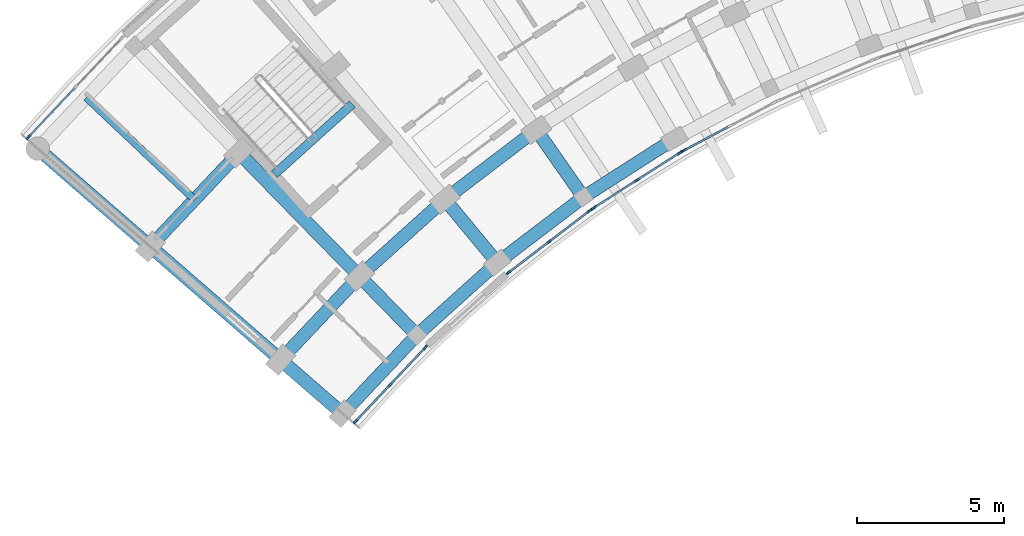
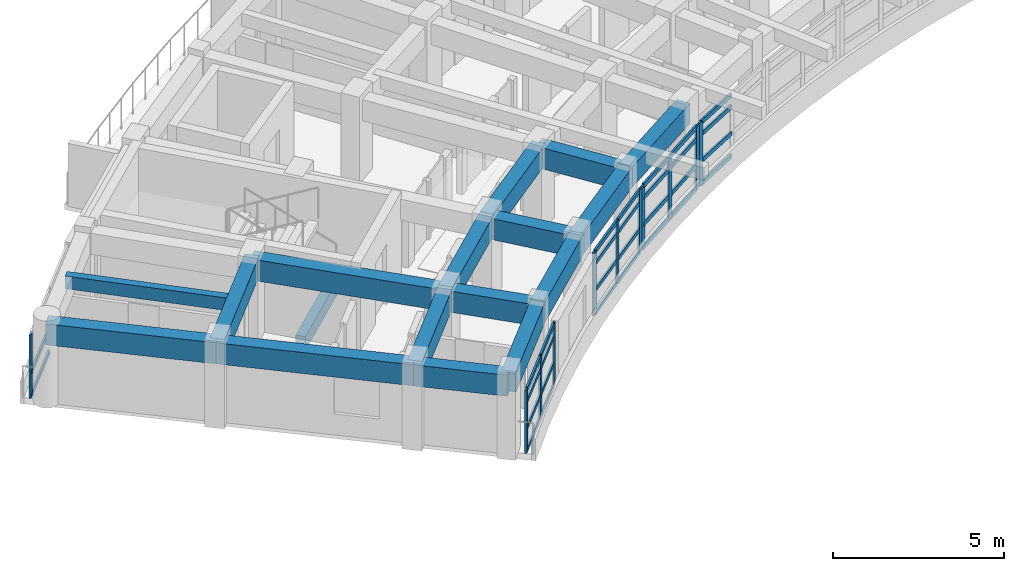
# One storey, part 14 of 70: 41 members, 17 beams, 5 elements without a shape of their own.
"""IFC4 building model written with IfcOpenShell, lengths in metres."""

from ifc_helpers import new_model, si_unit, direction, frame, origin, origin_2d, place, context, subcontext, project, spatial, rectangle, extrude, material, material_profile, profile_set, type_object, element, aggregate, save


model = new_model("IFC4")

# Units and contexts
model_context = context("Model", 3, precision=1e-05, world=origin(), true_north=direction((0.0, 1.0)))
body_context = subcontext(model_context, "Body", "Model", "MODEL_VIEW")
ifc_project = project(units=[si_unit("LENGTHUNIT", "METRE"), si_unit("AREAUNIT", "SQUARE_METRE"), si_unit("VOLUMEUNIT", "CUBIC_METRE"), si_unit("PLANEANGLEUNIT", "RADIAN"), si_unit("MASSUNIT", "GRAM", prefix="KILO")], contexts=[model_context])

# Site, building, storey
site_placement = place(None, origin())
site = spatial("IfcSite", under=ifc_project, at=site_placement, CompositionType="ELEMENT")
building_placement = place(site_placement, origin())
building = spatial("IfcBuilding", under=site, at=building_placement, Name="Zimvara Arc Housing Community", CompositionType="ELEMENT")
storey_placement = place(building_placement, frame((0.0, 0.0, 8.10009765625)))
storey = spatial("IfcBuildingStorey", under=building, at=storey_placement, Name="L02", CompositionType="ELEMENT", Elevation=8.10009765625)

# Beams
ifc_material_1 = material(Name="Concrete C40/50", Category="concrete")
ifc_material_profile_1 = material_profile(ifc_material_1, rectangle(XDim=0.25, YDim=0.449951171875, at=origin_2d()), Name="RC 250x450")
ifc_profile_set_1 = profile_set([ifc_material_profile_1], Name="Concrete C40/50")
beam_type_1 = type_object("IfcBeamType", Name="BM-RC-250x450", PredefinedType="JOIST", material=ifc_profile_set_1)
beam_1_placement = place(storey_placement, frame((5.904296875, 81.3935546875, 2.65478515625), z_axis=(-0.727299876429, 0.686319815936, 0.0), x_axis=(-0.686319815936, -0.727299876429, 0.0)))
element("IfcBeam", 1, at=beam_1_placement, inside=storey, type_object=beam_type_1, Name="bm:blkA:L02:joist:b0", PredefinedType="JOIST", context=body_context, shape_type="SweptSolid", body=[
    extrude(rectangle(XDim=0.25, YDim=0.449951171875, at=origin_2d()), origin(), (0.0, 0.0, 1.0), 5.075927734375),
])
ifc_material_2 = material(Name="Concrete C40/50", Category="concrete")
ifc_material_profile_2 = material_profile(ifc_material_2, rectangle(XDim=0.300048828125, YDim=0.5, at=origin_2d()), Name="RC 300x500")
ifc_profile_set_2 = profile_set([ifc_material_profile_2], Name="Concrete C40/50")
beam_type_2 = type_object("IfcBeamType", Name="BM-RC-300x500", PredefinedType="BEAM", material=ifc_profile_set_2)
beam_2_placement = place(storey_placement, frame((11.278076171875, 84.64697265625, -0.25), z_axis=(-0.743362151162, -0.668889162881, 0.0), x_axis=(0.668889162881, -0.743362151162, 0.0)))
element("IfcBeam", 2, at=beam_2_placement, inside=storey, type_object=beam_type_2, Name="bm:stair_trim:ST-A1:L02:near", PredefinedType="BEAM", context=body_context, shape_type="SweptSolid", body=[
    extrude(rectangle(XDim=0.300048828125, YDim=0.5, at=origin_2d()), origin(), (0.0, 0.0, 1.0), 3.570068359375),
])
ifc_material_3 = material(Name="Concrete C40/50", Category="concrete")
ifc_material_profile_3 = material_profile(ifc_material_3, rectangle(XDim=0.43994140625, YDim=0.719970703125, at=origin_2d()), Name="RC 440x720")
ifc_profile_set_3 = profile_set([ifc_material_profile_3], Name="Concrete C40/50")
beam_type_3 = type_object("IfcBeamType", Name="BM-RC-440x720", PredefinedType="BEAM", material=ifc_profile_set_3)
beam_3_placement = place(storey_placement, frame((10.947509765625, 74.101318359375, 2.52001953125), z_axis=(0.686335517678, 0.727285059088, 0.0), x_axis=(-0.727285059088, 0.686335517678, 0.0)))
element("IfcBeam", 3, at=beam_3_placement, inside=storey, type_object=beam_type_3, Name="bm:blkA:L02:chord:r0:b0", PredefinedType="BEAM", context=body_context, shape_type="SweptSolid", body=[
    extrude(rectangle(XDim=0.43994140625, YDim=0.719970703125, at=origin_2d()), origin(), (0.0, 0.0, 1.0), 3.6845703125),
])
beam_4_placement = place(storey_placement, frame((13.476318359375, 76.781005859375, 2.52001953125), z_axis=(0.743366631239, 0.668884183966, 0.0), x_axis=(-0.668884183966, 0.743366631239, 0.0)))
element("IfcBeam", 4, at=beam_4_placement, inside=storey, type_object=beam_type_3, Name="bm:blkA:L02:chord:r0:b1", PredefinedType="BEAM", context=body_context, shape_type="SweptSolid", body=[
    extrude(rectangle(XDim=0.43994140625, YDim=0.719970703125, at=origin_2d()), origin(), (0.0, 0.0, 1.0), 3.684326171875),
])
beam_5_placement = place(storey_placement, frame((16.215087890625, 79.245361328125, 2.52001953125), z_axis=(0.795453014049, 0.606015265847, 0.0), x_axis=(-0.606015265847, 0.795453014049, 0.0)))
element("IfcBeam", 5, at=beam_5_placement, inside=storey, type_object=beam_type_3, Name="bm:blkA:L02:chord:r0:b2", PredefinedType="BEAM", context=body_context, shape_type="SweptSolid", body=[
    extrude(rectangle(XDim=0.43994140625, YDim=0.719970703125, at=origin_2d()), origin(), (0.0, 0.0, 1.0), 3.6845703125),
])
beam_6_placement = place(storey_placement, frame((19.14599609375, 81.478271484375, 2.52001953125), z_axis=(0.842272604079, 0.539051816079, 0.0), x_axis=(-0.539051816079, 0.842272604079, 0.0)))
element("IfcBeam", 6, at=beam_6_placement, inside=storey, type_object=beam_type_3, Name="bm:blkA:L02:chord:r0:b3", PredefinedType="BEAM", context=body_context, shape_type="SweptSolid", body=[
    extrude(rectangle(XDim=0.43994140625, YDim=0.719970703125, at=origin_2d()), origin(), (0.0, 0.0, 1.0), 3.684326171875),
])
beam_7_placement = place(storey_placement, frame((8.834228515625, 75.938232421875, 2.52001953125), z_axis=(0.686315710793, 0.727303750243, 0.0), x_axis=(-0.727303750243, 0.686315710793, 0.0)))
element("IfcBeam", 7, at=beam_7_placement, inside=storey, type_object=beam_type_3, Name="bm:blkA:L02:chord:r1:b0", PredefinedType="BEAM", context=body_context, shape_type="SweptSolid", body=[
    extrude(rectangle(XDim=0.43994140625, YDim=0.719970703125, at=origin_2d()), origin(), (0.0, 0.0, 1.0), 3.913330078125),
])
for number, where, z_axis, x_axis, name in (
    (8, (11.52001953125, 78.784423828125, 2.52001953125), (0.743402719516, 0.668844074965, 0.0), (-0.668844074965, 0.743402719516, 0.0), "bm:blkA:L02:chord:r1:b1"),
    (9, (14.428955078125, 81.401611328125, 2.52001953125), (0.795470387579, 0.605992460749, 0.0), (-0.605992460749, 0.795470387579, 0.0), "bm:blkA:L02:chord:r1:b2"),
):
    element("IfcBeam", number, at=place(storey_placement, frame(where, z_axis=z_axis, x_axis=x_axis)), inside=storey, type_object=beam_type_3, Name=name, PredefinedType="BEAM", context=body_context, shape_type="SweptSolid", body=[
        extrude(rectangle(XDim=0.43994140625, YDim=0.719970703125, at=origin_2d()), origin(), (0.0, 0.0, 1.0), 3.9130859375),
    ])
beam_8_placement = place(storey_placement, frame((4.396728515625, 79.7958984375, 2.52001953125), z_axis=(0.686303637813, 0.727315142648, 0.0), x_axis=(-0.727315142648, 0.686303637813, 0.0)))
element("IfcBeam", 10, at=beam_8_placement, inside=storey, type_object=beam_type_3, Name="bm:blkA:L02:chord:r2:b0", PredefinedType="BEAM", context=body_context, shape_type="SweptSolid", body=[
    extrude(rectangle(XDim=0.43994140625, YDim=0.719970703125, at=origin_2d()), origin(), (0.0, 0.0, 1.0), 4.393310546875),
])
ifc_material_4 = material(Name="Concrete C40/50", Category="concrete")
ifc_material_profile_4 = material_profile(ifc_material_4, rectangle(XDim=0.449951171875, YDim=0.75, at=origin_2d()), Name="RC 450x750")
ifc_profile_set_4 = profile_set([ifc_material_profile_4], Name="Concrete C40/50")
beam_type_4 = type_object("IfcBeamType", Name="BM-RC-450x750", PredefinedType="BEAM", material=ifc_profile_set_4)
beam_9_placement = place(storey_placement, frame((10.947509765625, 74.101318359375, 2.5048828125), z_axis=(-0.754733151583, 0.656031912259, 0.0), x_axis=(-0.656031912259, -0.754733151583, 0.0)))
element("IfcBeam", 11, at=beam_9_placement, inside=storey, type_object=beam_type_4, Name="bm:blkA:L02:rad:b0:r01", PredefinedType="BEAM", context=body_context, shape_type="SweptSolid", body=[
    extrude(rectangle(XDim=0.449951171875, YDim=0.75, at=origin_2d()), origin(), (0.0, 0.0, 1.0), 2.800048828125),
])
beam_10_placement = place(storey_placement, frame((8.834228515625, 75.938232421875, 2.5048828125), z_axis=(-0.754692223258, 0.656078995362, 0.0), x_axis=(-0.656078995362, -0.754692223258, 0.0)))
element("IfcBeam", 12, at=beam_10_placement, inside=storey, type_object=beam_type_4, Name="bm:blkA:L02:rad:b0:r12", PredefinedType="BEAM", context=body_context, shape_type="SweptSolid", body=[
    extrude(rectangle(XDim=0.449951171875, YDim=0.75, at=origin_2d()), origin(), (0.0, 0.0, 1.0), 5.8798828125),
])
beam_11_placement = place(storey_placement, frame((4.396728515625, 79.7958984375, 2.5048828125), z_axis=(-0.754716217499, 0.656051393599, 0.0), x_axis=(-0.656051393599, -0.754716217499, 0.0)))
element("IfcBeam", 13, at=beam_11_placement, inside=storey, type_object=beam_type_4, Name="bm:blkA:L02:rad:b0:r23", PredefinedType="BEAM", context=body_context, shape_type="SweptSolid", body=[
    extrude(rectangle(XDim=0.449951171875, YDim=0.75, at=origin_2d()), origin(), (0.0, 0.0, 1.0), 5.080078125),
])
beam_12_placement = place(storey_placement, frame((13.476318359375, 76.781005859375, 2.5048828125), z_axis=(-0.698643013894, 0.71547043205, 0.0), x_axis=(-0.71547043205, -0.698643013894, 0.0)))
element("IfcBeam", 14, at=beam_12_placement, inside=storey, type_object=beam_type_4, Name="bm:blkA:L02:rad:b1:r01", PredefinedType="BEAM", context=body_context, shape_type="SweptSolid", body=[
    extrude(rectangle(XDim=0.449951171875, YDim=0.75, at=origin_2d()), origin(), (0.0, 0.0, 1.0), 2.800048828125),
])
beam_13_placement = place(storey_placement, frame((11.52001953125, 78.784423828125, 2.5048828125), z_axis=(-0.698669844288, 0.715444231707, 0.0), x_axis=(-0.715444231707, -0.698669844288, 0.0)))
element("IfcBeam", 15, at=beam_13_placement, inside=storey, type_object=beam_type_4, Name="bm:blkA:L02:rad:b1:r12", PredefinedType="BEAM", context=body_context, shape_type="SweptSolid", body=[
    extrude(rectangle(XDim=0.449951171875, YDim=0.75, at=origin_2d()), origin(), (0.0, 0.0, 1.0), 5.8798828125),
])
beam_14_placement = place(storey_placement, frame((16.215087890625, 79.245361328125, 2.5048828125), z_axis=(-0.637917412223, 0.770104781951, 0.0), x_axis=(-0.770104781951, -0.637917412223, 0.0)))
element("IfcBeam", 16, at=beam_14_placement, inside=storey, type_object=beam_type_4, Name="bm:blkA:L02:rad:b2:r01", PredefinedType="BEAM", context=body_context, shape_type="SweptSolid", body=[
    extrude(rectangle(XDim=0.449951171875, YDim=0.75, at=origin_2d()), origin(), (0.0, 0.0, 1.0), 2.800048828125),
])
beam_15_placement = place(storey_placement, frame((19.14599609375, 81.478271484375, 2.5048828125), z_axis=(-0.57297651105, 0.819571789281, 0.0), x_axis=(-0.819571789281, -0.57297651105, 0.0)))
element("IfcBeam", 17, at=beam_15_placement, inside=storey, type_object=beam_type_4, Name="bm:blkA:L02:rad:b3:r01", PredefinedType="BEAM", context=body_context, shape_type="SweptSolid", body=[
    extrude(rectangle(XDim=0.449951171875, YDim=0.75, at=origin_2d()), origin(), (0.0, 0.0, 1.0), 2.7998046875),
])

# Curtain wall, members
ifc_material_5 = material(Name="Anodised Aluminium AW-6063", Category="aluminium")
curtain_wall_type_1 = type_object("IfcCurtainWallType", Name="CW-SYS-02", PredefinedType="USERDEFINED", material=ifc_material_5)
curtain_wall_1_placement = place(storey_placement, origin())
curtain_wall_1 = element("IfcCurtainWall", 18, at=curtain_wall_1_placement, inside=storey, type_object=curtain_wall_type_1, Name="cw:blkA:L02:in:b0", ObjectType="CURTAIN WALL", PredefinedType="USERDEFINED")
ifc_material_6 = material(Name="Anodised Aluminium AW-6063", Category="aluminium")
ifc_material_profile_5 = material_profile(ifc_material_6, rectangle(XDim=0.06494140625, YDim=0.179931640625, at=origin_2d()), Name="ALU 65x180")
ifc_profile_set_5 = profile_set([ifc_material_profile_5], Name="Anodised Aluminium AW-6063")
member_type_1 = type_object("IfcMemberType", Name="CWM-65x150", PredefinedType="MULLION", material=ifc_profile_set_5)
member_1_placement = place(storey_placement, frame((11.388427734375, 73.840576171875, 0.0), z_axis=(0.0, 0.0, 1.0), x_axis=(-0.727293280483, 0.686326805658, 0.0)))
member_1 = element("IfcMember", 19, at=member_1_placement, type_object=member_type_1, Name="CW02 mullion 1", PredefinedType="MULLION", context=body_context, shape_type="SweptSolid", body=[
    extrude(rectangle(XDim=0.06494140625, YDim=0.179931640625, at=origin_2d()), origin(), (0.0, 0.0, 1.0), 2.25),
])
member_2_placement = place(storey_placement, frame((12.5751953125, 75.098388671875, 0.0), z_axis=(0.0, 0.0, 1.0), x_axis=(-0.727293280483, 0.686326805658, 0.0)))
member_2 = element("IfcMember", 20, at=member_2_placement, type_object=member_type_1, Name="CW02 mullion 2", PredefinedType="MULLION", context=body_context, shape_type="SweptSolid", body=[
    extrude(rectangle(XDim=0.06494140625, YDim=0.179931640625, at=origin_2d()), origin(), (0.0, 0.0, 1.0), 2.25),
])
member_3_placement = place(storey_placement, frame((13.761962890625, 76.35595703125, 0.0), z_axis=(0.0, 0.0, 1.0), x_axis=(-0.727293280483, 0.686326805658, 0.0)))
member_3 = element("IfcMember", 21, at=member_3_placement, type_object=member_type_1, Name="CW02 mullion 3", PredefinedType="MULLION", context=body_context, shape_type="SweptSolid", body=[
    extrude(rectangle(XDim=0.06494140625, YDim=0.179931640625, at=origin_2d()), origin(), (0.0, 0.0, 1.0), 2.25),
])

ifc_material_7 = material(Name="Anodised Aluminium AW-6063", Category="aluminium")
curtain_wall_type_2 = type_object("IfcCurtainWallType", Name="CW-SYS-04", PredefinedType="USERDEFINED", material=ifc_material_7)
curtain_wall_2_placement = place(storey_placement, origin())
curtain_wall_2 = element("IfcCurtainWall", 22, at=curtain_wall_2_placement, inside=storey, type_object=curtain_wall_type_2, Name="cw:blkA:L02:in:b2", ObjectType="CURTAIN WALL", PredefinedType="USERDEFINED")
member_4_placement = place(storey_placement, frame((16.607666015625, 78.91650390625, 0.0), z_axis=(0.0, 0.0, 1.0), x_axis=(-0.605988318533, 0.795473543119, 0.0)))
member_4 = element("IfcMember", 23, at=member_4_placement, type_object=member_type_1, Name="CW04 mullion 1", PredefinedType="MULLION", context=body_context, shape_type="SweptSolid", body=[
    extrude(rectangle(XDim=0.06494140625, YDim=0.179931640625, at=origin_2d()), origin(), (0.0, 0.0, 1.0), 2.25),
])
member_5_placement = place(storey_placement, frame((17.9833984375, 79.96435546875, 0.0), z_axis=(0.0, 0.0, 1.0), x_axis=(-0.605988318533, 0.795473543119, 0.0)))
member_5 = element("IfcMember", 24, at=member_5_placement, type_object=member_type_1, Name="CW04 mullion 2", PredefinedType="MULLION", context=body_context, shape_type="SweptSolid", body=[
    extrude(rectangle(XDim=0.06494140625, YDim=0.179931640625, at=origin_2d()), origin(), (0.0, 0.0, 1.0), 2.25),
])
member_6_placement = place(storey_placement, frame((19.35888671875, 81.012451171875, 0.0), z_axis=(0.0, 0.0, 1.0), x_axis=(-0.605988318533, 0.795473543119, 0.0)))
member_6 = element("IfcMember", 25, at=member_6_placement, type_object=member_type_1, Name="CW04 mullion 3", PredefinedType="MULLION", context=body_context, shape_type="SweptSolid", body=[
    extrude(rectangle(XDim=0.06494140625, YDim=0.179931640625, at=origin_2d()), origin(), (0.0, 0.0, 1.0), 2.25),
])

# Curtain wall, member
ifc_material_8 = material(Name="Anodised Aluminium AW-6063", Category="aluminium")
curtain_wall_type_3 = type_object("IfcCurtainWallType", Name="CW-SYS-01", PredefinedType="USERDEFINED", material=ifc_material_8)
curtain_wall_3_placement = place(storey_placement, origin())
curtain_wall_3 = element("IfcCurtainWall", 26, at=curtain_wall_3_placement, inside=storey, type_object=curtain_wall_type_3, Name="cw:blkA:L02:out:b0", ObjectType="CURTAIN WALL", PredefinedType="USERDEFINED")
ifc_material_9 = material(Name="Anodised Aluminium AW-6063", Category="aluminium")
ifc_material_profile_6 = material_profile(ifc_material_9, rectangle(XDim=0.06494140625, YDim=0.195068359375, at=origin_2d()), Name="ALU 65x195")
ifc_profile_set_6 = profile_set([ifc_material_profile_6], Name="Anodised Aluminium AW-6063")
member_type_2 = type_object("IfcMemberType", Name="CWM-65x180", PredefinedType="MULLION", material=ifc_profile_set_6)
member_7_placement = place(storey_placement, frame((0.248779296875, 83.524169921875, 0.0), z_axis=(0.0, 0.0, 1.0), x_axis=(-0.727293647725, 0.686326416495, 0.0)))
member_7 = element("IfcMember", 27, at=member_7_placement, type_object=member_type_2, Name="CW01 mullion 1", PredefinedType="MULLION", context=body_context, shape_type="SweptSolid", body=[
    extrude(rectangle(XDim=0.06494140625, YDim=0.195068359375, at=origin_2d()), origin(), (0.0, 0.0, 1.0), 2.25),
])

# Curtain wall, members
ifc_material_10 = material(Name="Anodised Aluminium AW-6063", Category="aluminium")
curtain_wall_type_4 = type_object("IfcCurtainWallType", Name="CW-SYS-05", PredefinedType="USERDEFINED", material=ifc_material_10)
curtain_wall_4_placement = place(storey_placement, origin())
curtain_wall_4 = element("IfcCurtainWall", 28, at=curtain_wall_4_placement, inside=storey, type_object=curtain_wall_type_4, Name="cw:blkA:L02:in:b3", ObjectType="CURTAIN WALL", PredefinedType="USERDEFINED")
member_8_placement = place(storey_placement, frame((19.510498046875, 81.118408203125, 0.0), z_axis=(0.0, 0.0, 1.0), x_axis=(-0.539064085203, 0.842264751752, 0.0)))
member_8 = element("IfcMember", 29, at=member_8_placement, type_object=member_type_2, Name="CW05 mullion 1", PredefinedType="MULLION", context=body_context, shape_type="SweptSolid", body=[
    extrude(rectangle(XDim=0.06494140625, YDim=0.195068359375, at=origin_2d()), origin(), (0.0, 0.0, 1.0), 2.25),
])
member_9_placement = place(storey_placement, frame((20.967041015625, 82.050537109375, 0.0), z_axis=(0.0, 0.0, 1.0), x_axis=(-0.539064085203, 0.842264751752, 0.0)))
member_9 = element("IfcMember", 30, at=member_9_placement, type_object=member_type_2, Name="CW05 mullion 2", PredefinedType="MULLION", context=body_context, shape_type="SweptSolid", body=[
    extrude(rectangle(XDim=0.06494140625, YDim=0.195068359375, at=origin_2d()), origin(), (0.0, 0.0, 1.0), 2.25),
])
member_10_placement = place(storey_placement, frame((22.423583984375, 82.982666015625, 0.0), z_axis=(0.0, 0.0, 1.0), x_axis=(-0.539064085203, 0.842264751752, 0.0)))
member_10 = element("IfcMember", 31, at=member_10_placement, type_object=member_type_2, Name="CW05 mullion 3", PredefinedType="MULLION", context=body_context, shape_type="SweptSolid", body=[
    extrude(rectangle(XDim=0.06494140625, YDim=0.195068359375, at=origin_2d()), origin(), (0.0, 0.0, 1.0), 2.25),
])

# Curtain wall, member
ifc_material_11 = material(Name="Anodised Aluminium AW-6063", Category="aluminium")
curtain_wall_type_5 = type_object("IfcCurtainWallType", Name="CW-SYS-07", PredefinedType="USERDEFINED", material=ifc_material_11)
curtain_wall_5_placement = place(storey_placement, origin())
curtain_wall_5 = element("IfcCurtainWall", 32, at=curtain_wall_5_placement, inside=storey, type_object=curtain_wall_type_5, Name="cw:blkA:L02:in:b4", ObjectType="CURTAIN WALL", PredefinedType="USERDEFINED")
member_11_placement = place(storey_placement, frame((22.583251953125, 83.075927734375, 0.0), z_axis=(0.0, 0.0, 1.0), x_axis=(-0.468544648573, 0.88343981815, 0.0)))
member_11 = element("IfcMember", 33, at=member_11_placement, type_object=member_type_2, Name="CW07 mullion 1", PredefinedType="MULLION", context=body_context, shape_type="SweptSolid", body=[
    extrude(rectangle(XDim=0.06494140625, YDim=0.195068359375, at=origin_2d()), origin(), (0.0, 0.0, 1.0), 2.25),
])

# Member
ifc_material_12 = material(Name="Anodised Aluminium AW-6063", Category="aluminium")
ifc_material_profile_7 = material_profile(ifc_material_12, rectangle(XDim=0.06494140625, YDim=0.139892578125, at=origin_2d()), Name="ALU 65x140")
ifc_profile_set_7 = profile_set([ifc_material_profile_7], Name="Anodised Aluminium AW-6063")
member_type_3 = type_object("IfcMemberType", Name="CWT-65x120", PredefinedType="USERDEFINED", material=ifc_profile_set_7)
member_12_placement = place(storey_placement, frame((11.41064453125, 73.8642578125, 0.032470703125), z_axis=(0.686347817597, 0.727273451516, 0.0), x_axis=(-0.727273451516, 0.686347817597, 0.0)))
member_12 = element("IfcMember", 34, at=member_12_placement, type_object=member_type_3, Name="CW02 transom 1.1", ObjectType="TRANSOM", PredefinedType="USERDEFINED", context=body_context, shape_type="SweptSolid", body=[
    extrude(rectangle(XDim=0.06494140625, YDim=0.139892578125, at=origin_2d()), origin(), (0.0, 0.0, 1.0), 1.664306640625),
])

member_13_placement = place(storey_placement, frame((11.41064453125, 73.8642578125, 0.849853515625), z_axis=(0.686347817597, 0.727273451516, 0.0), x_axis=(-0.727273451516, 0.686347817597, 0.0)))
member_13 = element("IfcMember", 35, at=member_13_placement, type_object=member_type_3, Name="CW02 transom 1.2", ObjectType="TRANSOM", PredefinedType="USERDEFINED", context=body_context, shape_type="SweptSolid", body=[
    extrude(rectangle(XDim=0.06494140625, YDim=0.139892578125, at=origin_2d()), origin(), (0.0, 0.0, 1.0), 1.664306640625),
])

member_14_placement = place(storey_placement, frame((11.41064453125, 73.8642578125, 1.7998046875), z_axis=(0.686347817597, 0.727273451516, 0.0), x_axis=(-0.727273451516, 0.686347817597, 0.0)))
member_14 = element("IfcMember", 36, at=member_14_placement, type_object=member_type_3, Name="CW02 transom 1.3", ObjectType="TRANSOM", PredefinedType="USERDEFINED", context=body_context, shape_type="SweptSolid", body=[
    extrude(rectangle(XDim=0.06494140625, YDim=0.139892578125, at=origin_2d()), origin(), (0.0, 0.0, 1.0), 1.664306640625),
])

member_15_placement = place(storey_placement, frame((11.41064453125, 73.8642578125, 2.21728515625), z_axis=(0.686347817597, 0.727273451516, 0.0), x_axis=(-0.727273451516, 0.686347817597, 0.0)))
member_15 = element("IfcMember", 37, at=member_15_placement, type_object=member_type_3, Name="CW02 transom 1.4", ObjectType="TRANSOM", PredefinedType="USERDEFINED", context=body_context, shape_type="SweptSolid", body=[
    extrude(rectangle(XDim=0.06494140625, YDim=0.139892578125, at=origin_2d()), origin(), (0.0, 0.0, 1.0), 1.664306640625),
])

member_16_placement = place(storey_placement, frame((12.597412109375, 75.1220703125, 0.032470703125), z_axis=(0.686347817597, 0.727273451516, 0.0), x_axis=(-0.727273451516, 0.686347817597, 0.0)))
member_16 = element("IfcMember", 38, at=member_16_placement, type_object=member_type_3, Name="CW02 transom 2.1", ObjectType="TRANSOM", PredefinedType="USERDEFINED", context=body_context, shape_type="SweptSolid", body=[
    extrude(rectangle(XDim=0.06494140625, YDim=0.139892578125, at=origin_2d()), origin(), (0.0, 0.0, 1.0), 1.664306640625),
])

member_17_placement = place(storey_placement, frame((12.597412109375, 75.1220703125, 0.849853515625), z_axis=(0.686347817597, 0.727273451516, 0.0), x_axis=(-0.727273451516, 0.686347817597, 0.0)))
member_17 = element("IfcMember", 39, at=member_17_placement, type_object=member_type_3, Name="CW02 transom 2.2", ObjectType="TRANSOM", PredefinedType="USERDEFINED", context=body_context, shape_type="SweptSolid", body=[
    extrude(rectangle(XDim=0.06494140625, YDim=0.139892578125, at=origin_2d()), origin(), (0.0, 0.0, 1.0), 1.664306640625),
])

member_18_placement = place(storey_placement, frame((12.597412109375, 75.1220703125, 1.7998046875), z_axis=(0.686347817597, 0.727273451516, 0.0), x_axis=(-0.727273451516, 0.686347817597, 0.0)))
member_18 = element("IfcMember", 40, at=member_18_placement, type_object=member_type_3, Name="CW02 transom 2.3", ObjectType="TRANSOM", PredefinedType="USERDEFINED", context=body_context, shape_type="SweptSolid", body=[
    extrude(rectangle(XDim=0.06494140625, YDim=0.139892578125, at=origin_2d()), origin(), (0.0, 0.0, 1.0), 1.664306640625),
])

member_19_placement = place(storey_placement, frame((12.597412109375, 75.1220703125, 2.21728515625), z_axis=(0.686347817597, 0.727273451516, 0.0), x_axis=(-0.727273451516, 0.686347817597, 0.0)))
member_19 = element("IfcMember", 41, at=member_19_placement, type_object=member_type_3, Name="CW02 transom 2.4", ObjectType="TRANSOM", PredefinedType="USERDEFINED", context=body_context, shape_type="SweptSolid", body=[
    extrude(rectangle(XDim=0.06494140625, YDim=0.139892578125, at=origin_2d()), origin(), (0.0, 0.0, 1.0), 1.664306640625),
])

aggregate(curtain_wall_1, [member_1, member_2, member_3, member_12, member_13, member_14, member_15, member_16, member_17, member_18, member_19])

member_20_placement = place(storey_placement, frame((16.633544921875, 78.936279296875, 0.032470703125), z_axis=(0.795488960577, 0.605968079687, 0.0), x_axis=(-0.605968079687, 0.795488960577, 0.0)))
member_20 = element("IfcMember", 42, at=member_20_placement, type_object=member_type_3, Name="CW04 transom 1.1", ObjectType="TRANSOM", PredefinedType="USERDEFINED", context=body_context, shape_type="SweptSolid", body=[
    extrude(rectangle(XDim=0.06494140625, YDim=0.139892578125, at=origin_2d()), origin(), (0.0, 0.0, 1.0), 1.664306640625),
])

member_21_placement = place(storey_placement, frame((16.633544921875, 78.936279296875, 0.849853515625), z_axis=(0.795488960577, 0.605968079687, 0.0), x_axis=(-0.605968079687, 0.795488960577, 0.0)))
member_21 = element("IfcMember", 43, at=member_21_placement, type_object=member_type_3, Name="CW04 transom 1.2", ObjectType="TRANSOM", PredefinedType="USERDEFINED", context=body_context, shape_type="SweptSolid", body=[
    extrude(rectangle(XDim=0.06494140625, YDim=0.139892578125, at=origin_2d()), origin(), (0.0, 0.0, 1.0), 1.664306640625),
])

member_22_placement = place(storey_placement, frame((16.633544921875, 78.936279296875, 1.7998046875), z_axis=(0.795488960577, 0.605968079687, 0.0), x_axis=(-0.605968079687, 0.795488960577, 0.0)))
member_22 = element("IfcMember", 44, at=member_22_placement, type_object=member_type_3, Name="CW04 transom 1.3", ObjectType="TRANSOM", PredefinedType="USERDEFINED", context=body_context, shape_type="SweptSolid", body=[
    extrude(rectangle(XDim=0.06494140625, YDim=0.139892578125, at=origin_2d()), origin(), (0.0, 0.0, 1.0), 1.664306640625),
])

member_23_placement = place(storey_placement, frame((16.633544921875, 78.936279296875, 2.21728515625), z_axis=(0.795488960577, 0.605968079687, 0.0), x_axis=(-0.605968079687, 0.795488960577, 0.0)))
member_23 = element("IfcMember", 45, at=member_23_placement, type_object=member_type_3, Name="CW04 transom 1.4", ObjectType="TRANSOM", PredefinedType="USERDEFINED", context=body_context, shape_type="SweptSolid", body=[
    extrude(rectangle(XDim=0.06494140625, YDim=0.139892578125, at=origin_2d()), origin(), (0.0, 0.0, 1.0), 1.664306640625),
])

member_24_placement = place(storey_placement, frame((18.00927734375, 79.984130859375, 0.032470703125), z_axis=(0.795435087713, 0.606038795157, 0.0), x_axis=(-0.606038795157, 0.795435087713, 0.0)))
member_24 = element("IfcMember", 46, at=member_24_placement, type_object=member_type_3, Name="CW04 transom 2.1", ObjectType="TRANSOM", PredefinedType="USERDEFINED", context=body_context, shape_type="SweptSolid", body=[
    extrude(rectangle(XDim=0.06494140625, YDim=0.139892578125, at=origin_2d()), origin(), (0.0, 0.0, 1.0), 1.6640625),
])

member_25_placement = place(storey_placement, frame((18.00927734375, 79.984130859375, 0.849853515625), z_axis=(0.795435087713, 0.606038795157, 0.0), x_axis=(-0.606038795157, 0.795435087713, 0.0)))
member_25 = element("IfcMember", 47, at=member_25_placement, type_object=member_type_3, Name="CW04 transom 2.2", ObjectType="TRANSOM", PredefinedType="USERDEFINED", context=body_context, shape_type="SweptSolid", body=[
    extrude(rectangle(XDim=0.06494140625, YDim=0.139892578125, at=origin_2d()), origin(), (0.0, 0.0, 1.0), 1.6640625),
])

member_26_placement = place(storey_placement, frame((18.00927734375, 79.984130859375, 1.7998046875), z_axis=(0.795435087713, 0.606038795157, 0.0), x_axis=(-0.606038795157, 0.795435087713, 0.0)))
member_26 = element("IfcMember", 48, at=member_26_placement, type_object=member_type_3, Name="CW04 transom 2.3", ObjectType="TRANSOM", PredefinedType="USERDEFINED", context=body_context, shape_type="SweptSolid", body=[
    extrude(rectangle(XDim=0.06494140625, YDim=0.139892578125, at=origin_2d()), origin(), (0.0, 0.0, 1.0), 1.6640625),
])

member_27_placement = place(storey_placement, frame((18.00927734375, 79.984130859375, 2.21728515625), z_axis=(0.795435087713, 0.606038795157, 0.0), x_axis=(-0.606038795157, 0.795435087713, 0.0)))
member_27 = element("IfcMember", 49, at=member_27_placement, type_object=member_type_3, Name="CW04 transom 2.4", ObjectType="TRANSOM", PredefinedType="USERDEFINED", context=body_context, shape_type="SweptSolid", body=[
    extrude(rectangle(XDim=0.06494140625, YDim=0.139892578125, at=origin_2d()), origin(), (0.0, 0.0, 1.0), 1.6640625),
])

aggregate(curtain_wall_2, [member_4, member_5, member_6, member_20, member_21, member_22, member_23, member_24, member_25, member_26, member_27])

ifc_material_13 = material(Name="Anodised Aluminium AW-6063", Category="aluminium")
ifc_material_profile_8 = material_profile(ifc_material_13, rectangle(XDim=0.06494140625, YDim=0.155029296875, at=origin_2d()), Name="ALU 65x155")
ifc_profile_set_8 = profile_set([ifc_material_profile_8], Name="Anodised Aluminium AW-6063")
member_type_4 = type_object("IfcMemberType", Name="CWT-65x140", PredefinedType="USERDEFINED", material=ifc_profile_set_8)
member_28_placement = place(storey_placement, frame((0.271240234375, 83.547607421875, 0.032470703125), z_axis=(0.68623762882, 0.727377423894, 0.0), x_axis=(-0.727377423894, 0.68623762882, 0.0)))
member_28 = element("IfcMember", 50, at=member_28_placement, type_object=member_type_4, Name="CW01 transom 1.1", ObjectType="TRANSOM", PredefinedType="USERDEFINED", context=body_context, shape_type="SweptSolid", body=[
    extrude(rectangle(XDim=0.06494140625, YDim=0.155029296875, at=origin_2d()), origin(), (0.0, 0.0, 1.0), 2.266845703125),
])

member_29_placement = place(storey_placement, frame((0.271240234375, 83.547607421875, 0.849853515625), z_axis=(0.68623762882, 0.727377423894, 0.0), x_axis=(-0.727377423894, 0.68623762882, 0.0)))
member_29 = element("IfcMember", 51, at=member_29_placement, type_object=member_type_4, Name="CW01 transom 1.2", ObjectType="TRANSOM", PredefinedType="USERDEFINED", context=body_context, shape_type="SweptSolid", body=[
    extrude(rectangle(XDim=0.06494140625, YDim=0.155029296875, at=origin_2d()), origin(), (0.0, 0.0, 1.0), 2.266845703125),
])

aggregate(curtain_wall_3, [member_7, member_28, member_29])

member_30_placement = place(storey_placement, frame((19.537841796875, 81.1357421875, 0.032470703125), z_axis=(0.842263408668, 0.539066183709, 0.0), x_axis=(-0.539066183709, 0.842263408668, 0.0)))
member_30 = element("IfcMember", 52, at=member_30_placement, type_object=member_type_4, Name="CW05 transom 1.1", ObjectType="TRANSOM", PredefinedType="USERDEFINED", context=body_context, shape_type="SweptSolid", body=[
    extrude(rectangle(XDim=0.06494140625, YDim=0.155029296875, at=origin_2d()), origin(), (0.0, 0.0, 1.0), 1.664306640625),
])

member_31_placement = place(storey_placement, frame((19.537841796875, 81.1357421875, 0.849853515625), z_axis=(0.842263408668, 0.539066183709, 0.0), x_axis=(-0.539066183709, 0.842263408668, 0.0)))
member_31 = element("IfcMember", 53, at=member_31_placement, type_object=member_type_4, Name="CW05 transom 1.2", ObjectType="TRANSOM", PredefinedType="USERDEFINED", context=body_context, shape_type="SweptSolid", body=[
    extrude(rectangle(XDim=0.06494140625, YDim=0.155029296875, at=origin_2d()), origin(), (0.0, 0.0, 1.0), 1.664306640625),
])

member_32_placement = place(storey_placement, frame((19.537841796875, 81.1357421875, 1.7998046875), z_axis=(0.842263408668, 0.539066183709, 0.0), x_axis=(-0.539066183709, 0.842263408668, 0.0)))
member_32 = element("IfcMember", 54, at=member_32_placement, type_object=member_type_4, Name="CW05 transom 1.3", ObjectType="TRANSOM", PredefinedType="USERDEFINED", context=body_context, shape_type="SweptSolid", body=[
    extrude(rectangle(XDim=0.06494140625, YDim=0.155029296875, at=origin_2d()), origin(), (0.0, 0.0, 1.0), 1.664306640625),
])

member_33_placement = place(storey_placement, frame((19.537841796875, 81.1357421875, 2.21728515625), z_axis=(0.842263408668, 0.539066183709, 0.0), x_axis=(-0.539066183709, 0.842263408668, 0.0)))
member_33 = element("IfcMember", 55, at=member_33_placement, type_object=member_type_4, Name="CW05 transom 1.4", ObjectType="TRANSOM", PredefinedType="USERDEFINED", context=body_context, shape_type="SweptSolid", body=[
    extrude(rectangle(XDim=0.06494140625, YDim=0.155029296875, at=origin_2d()), origin(), (0.0, 0.0, 1.0), 1.664306640625),
])

member_34_placement = place(storey_placement, frame((20.994384765625, 82.068115234375, 0.032470703125), z_axis=(0.842330007588, 0.538962112135, 0.0), x_axis=(-0.538962112135, 0.842330007588, 0.0)))
member_34 = element("IfcMember", 56, at=member_34_placement, type_object=member_type_4, Name="CW05 transom 2.1", ObjectType="TRANSOM", PredefinedType="USERDEFINED", context=body_context, shape_type="SweptSolid", body=[
    extrude(rectangle(XDim=0.06494140625, YDim=0.155029296875, at=origin_2d()), origin(), (0.0, 0.0, 1.0), 1.664306640625),
])

member_35_placement = place(storey_placement, frame((20.994384765625, 82.068115234375, 0.849853515625), z_axis=(0.842330007588, 0.538962112135, 0.0), x_axis=(-0.538962112135, 0.842330007588, 0.0)))
member_35 = element("IfcMember", 57, at=member_35_placement, type_object=member_type_4, Name="CW05 transom 2.2", ObjectType="TRANSOM", PredefinedType="USERDEFINED", context=body_context, shape_type="SweptSolid", body=[
    extrude(rectangle(XDim=0.06494140625, YDim=0.155029296875, at=origin_2d()), origin(), (0.0, 0.0, 1.0), 1.664306640625),
])

member_36_placement = place(storey_placement, frame((20.994384765625, 82.068115234375, 1.7998046875), z_axis=(0.842330007588, 0.538962112135, 0.0), x_axis=(-0.538962112135, 0.842330007588, 0.0)))
member_36 = element("IfcMember", 58, at=member_36_placement, type_object=member_type_4, Name="CW05 transom 2.3", ObjectType="TRANSOM", PredefinedType="USERDEFINED", context=body_context, shape_type="SweptSolid", body=[
    extrude(rectangle(XDim=0.06494140625, YDim=0.155029296875, at=origin_2d()), origin(), (0.0, 0.0, 1.0), 1.664306640625),
])

member_37_placement = place(storey_placement, frame((20.994384765625, 82.068115234375, 2.21728515625), z_axis=(0.842330007588, 0.538962112135, 0.0), x_axis=(-0.538962112135, 0.842330007588, 0.0)))
member_37 = element("IfcMember", 59, at=member_37_placement, type_object=member_type_4, Name="CW05 transom 2.4", ObjectType="TRANSOM", PredefinedType="USERDEFINED", context=body_context, shape_type="SweptSolid", body=[
    extrude(rectangle(XDim=0.06494140625, YDim=0.155029296875, at=origin_2d()), origin(), (0.0, 0.0, 1.0), 1.664306640625),
])

aggregate(curtain_wall_4, [member_8, member_9, member_10, member_30, member_31, member_32, member_33, member_34, member_35, member_36, member_37])

member_38_placement = place(storey_placement, frame((22.61181640625, 83.091064453125, 0.032470703125), z_axis=(0.883463021947, 0.468500895252, 0.0), x_axis=(-0.468500895252, 0.883463021947, 0.0)))
member_38 = element("IfcMember", 60, at=member_38_placement, type_object=member_type_4, Name="CW07 transom 1.1", ObjectType="TRANSOM", PredefinedType="USERDEFINED", context=body_context, shape_type="SweptSolid", body=[
    extrude(rectangle(XDim=0.06494140625, YDim=0.155029296875, at=origin_2d()), origin(), (0.0, 0.0, 1.0), 1.664306640625),
])

member_39_placement = place(storey_placement, frame((22.61181640625, 83.091064453125, 0.849853515625), z_axis=(0.883463021947, 0.468500895252, 0.0), x_axis=(-0.468500895252, 0.883463021947, 0.0)))
member_39 = element("IfcMember", 61, at=member_39_placement, type_object=member_type_4, Name="CW07 transom 1.2", ObjectType="TRANSOM", PredefinedType="USERDEFINED", context=body_context, shape_type="SweptSolid", body=[
    extrude(rectangle(XDim=0.06494140625, YDim=0.155029296875, at=origin_2d()), origin(), (0.0, 0.0, 1.0), 1.664306640625),
])

member_40_placement = place(storey_placement, frame((22.61181640625, 83.091064453125, 1.7998046875), z_axis=(0.883463021947, 0.468500895252, 0.0), x_axis=(-0.468500895252, 0.883463021947, 0.0)))
member_40 = element("IfcMember", 62, at=member_40_placement, type_object=member_type_4, Name="CW07 transom 1.3", ObjectType="TRANSOM", PredefinedType="USERDEFINED", context=body_context, shape_type="SweptSolid", body=[
    extrude(rectangle(XDim=0.06494140625, YDim=0.155029296875, at=origin_2d()), origin(), (0.0, 0.0, 1.0), 1.664306640625),
])

member_41_placement = place(storey_placement, frame((22.61181640625, 83.091064453125, 2.21728515625), z_axis=(0.883463021947, 0.468500895252, 0.0), x_axis=(-0.468500895252, 0.883463021947, 0.0)))
member_41 = element("IfcMember", 63, at=member_41_placement, type_object=member_type_4, Name="CW07 transom 1.4", ObjectType="TRANSOM", PredefinedType="USERDEFINED", context=body_context, shape_type="SweptSolid", body=[
    extrude(rectangle(XDim=0.06494140625, YDim=0.155029296875, at=origin_2d()), origin(), (0.0, 0.0, 1.0), 1.664306640625),
])

aggregate(curtain_wall_5, [member_11, member_38, member_39, member_40, member_41])

save(model, "model.ifc")
